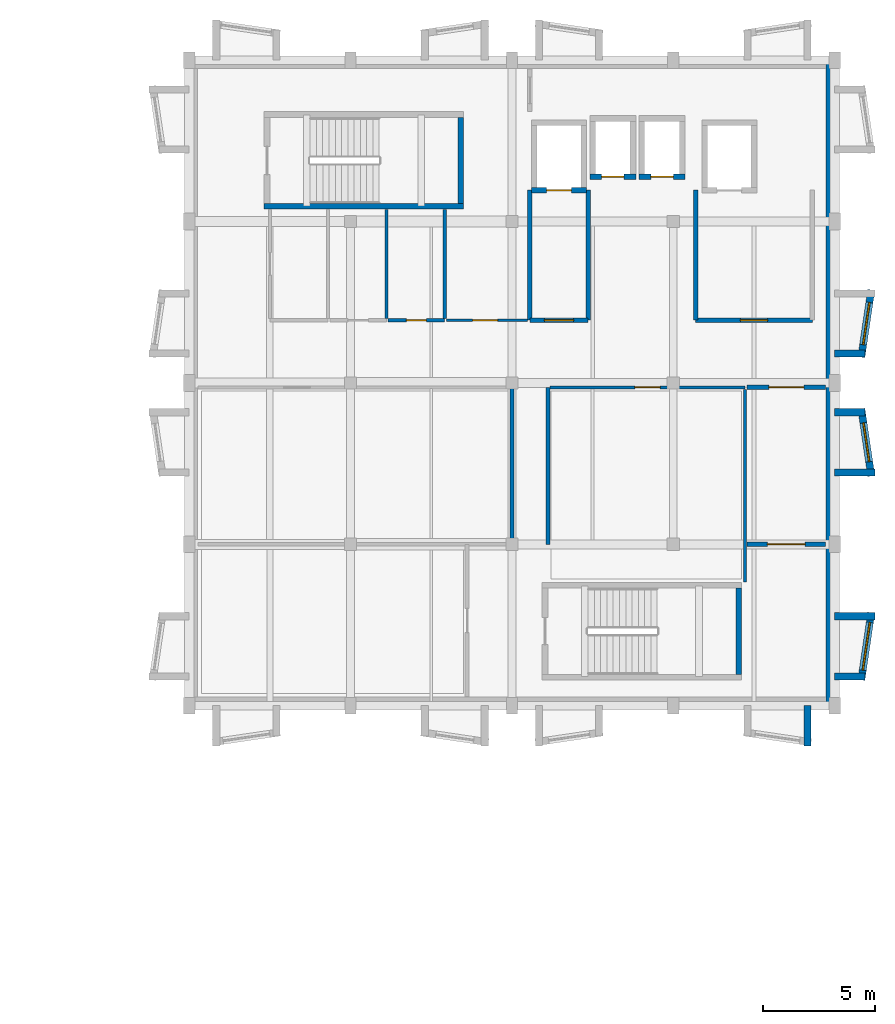
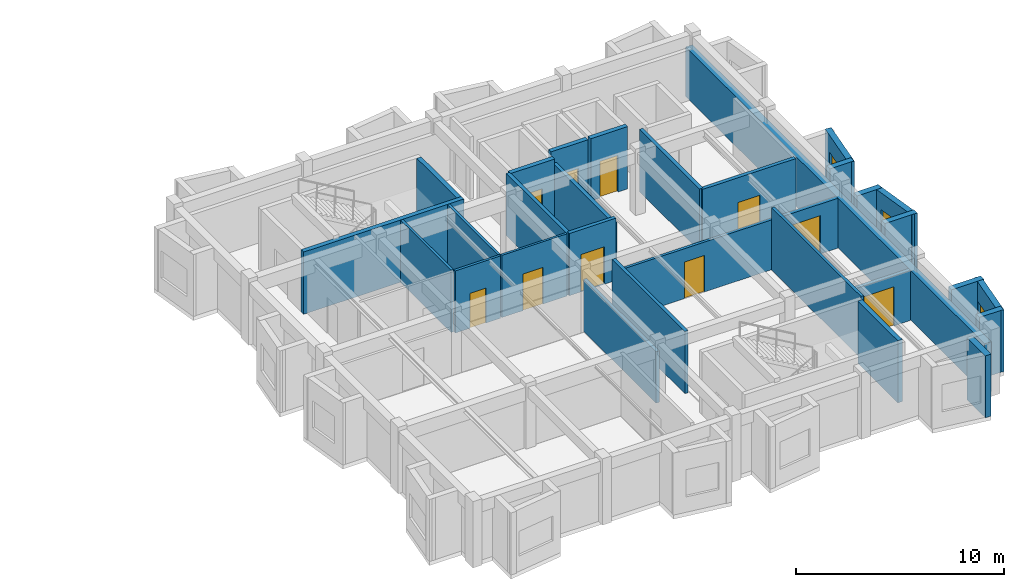
# One storey, part 7 of 12: 31 walls, 10 doors, 3 windows, 13 openings.
"""IFC4 building model written with IfcOpenShell, lengths in metres."""

from ifc_helpers import new_model, si_unit, direction, frame, frame_2d, origin, place, context, subcontext, project, spatial, rectangle, extrude, material, layer, layer_set, type_object, element, fill, save


model = new_model("IFC4")

# Units and contexts
model_context = context("Model", 3, precision=1e-05, world=origin(), true_north=direction((0.0, 1.0)))
body_context = subcontext(model_context, "Body", "Model", "MODEL_VIEW")
ifc_project = project(units=[si_unit("LENGTHUNIT", "METRE"), si_unit("AREAUNIT", "SQUARE_METRE"), si_unit("VOLUMEUNIT", "CUBIC_METRE"), si_unit("PLANEANGLEUNIT", "RADIAN"), si_unit("MASSUNIT", "GRAM", prefix="KILO")], contexts=[model_context])

# Site, building, storey
site_placement = place(None, origin())
site = spatial("IfcSite", under=ifc_project, at=site_placement, CompositionType="ELEMENT")
building_placement = place(site_placement, origin())
building = spatial("IfcBuilding", under=site, at=building_placement, Name="Bramveld Media Centre", CompositionType="ELEMENT")
storey_placement = place(building_placement, frame((0.0, 0.0, 21.89990234375)))
storey = spatial("IfcBuildingStorey", under=building, at=storey_placement, Name="L05", CompositionType="ELEMENT", Elevation=21.89990234375)

# Walls
ifc_material_1 = material(Name="Concrete C40/50 stair & lift core wall", Category="concrete")
ifc_layer_1 = layer(ifc_material_1, 0.25)
ifc_layer_set_1 = layer_set([ifc_layer_1], Name="Concrete C40/50 stair & lift core wall")
wall_type_1 = type_object("IfcWallType", Name="CWALL-SHEAR-250", PredefinedType="SHEAR", material=ifc_layer_set_1)
wall_1_placement = place(storey_placement, frame((134.550048828125, 105.47509765625, 0.0), z_axis=(0.0, 0.0, 1.0), x_axis=(1.0, 0.0, 0.0)))
element("IfcWall", 1, at=wall_1_placement, inside=storey, type_object=wall_type_1, Name="ST-01 L05 stair core shear wall S", PredefinedType="SHEAR", context=body_context, shape_type="SweptSolid", body=[
    extrude(rectangle(XDim=8.89990234375, YDim=0.25, at=frame_2d((4.449951171875, 0.0))), origin(), (0.0, 0.0, 1.0), 3.66015625),
])
for number, where, z_axis, x_axis, name in (
    (2, (143.324951171875, 105.60009765625, 0.0), (0.0, 0.0, 1.0), (0.0, 1.0, 0.0), "ST-01 L05 stair core shear wall E"),
    (3, (155.72509765625, 84.60009765625, 0.0), (0.0, 0.0, 1.0), (0.0, 1.0, 0.0), "ST-02 L05 stair core shear wall E"),
):
    element("IfcWall", number, at=place(storey_placement, frame(where, z_axis=z_axis, x_axis=x_axis)), inside=storey, type_object=wall_type_1, Name=name, PredefinedType="SHEAR", context=body_context, shape_type="SweptSolid", body=[
        extrude(rectangle(XDim=3.849853515625, YDim=0.25, at=frame_2d((1.9248046875, 0.0))), origin(), (0.0, 0.0, 1.0), 3.66015625),
    ])

# Wall, opening, door
wall_2_placement = place(storey_placement, frame((146.47509765625, 106.199951171875, 0.0), z_axis=(0.0, 0.0, 1.0), x_axis=(1.0, 0.0, 0.0)))
wall_2 = element("IfcWall", 4, at=wall_2_placement, inside=storey, type_object=wall_type_1, Name="FL-01 L05 lift shaft wall S", PredefinedType="SHEAR", context=body_context, shape_type="SweptSolid", body=[
    extrude(rectangle(XDim=2.449951171875, YDim=0.25, at=frame_2d((1.22509765625, 0.0))), origin(), (0.0, 0.0, 1.0), 3.66015625),
])
opening_1_placement = place(wall_2_placement, frame((0.675048828125, 0.0, 0.0)))
opening_1 = element("IfcOpeningElement", 5, at=opening_1_placement, cuts=wall_2, Name="Opening LD-01-01-L05", PredefinedType="OPENING", context=body_context, shape_type="SweptSolid", body=[
    extrude(rectangle(XDim=1.10009765625, YDim=2.14990234375, at=frame_2d((0.550048828125, 1.074951171875))), frame((0.0, 0.136962890625, 0.0), z_axis=(0.0, -1.0, 0.0), x_axis=(1.0, 0.0, 0.0)), (0.0, 0.0, 1.0), 0.27392578125),
])
ifc_material_2 = material(Name="Brushed stainless steel automatic fire-rated sliding lift landing door", Category="steel")
door_type_1 = type_object("IfcDoorType", Name="LD-TYPE-01", OperationType="SLIDING_TO_LEFT", PredefinedType="DOOR", material=ifc_material_2)
door_1_placement = place(opening_1_placement, origin())
door_1 = element("IfcDoor", 6, at=door_1_placement, inside=storey, type_object=door_type_1, Name="FL-01 L05 sliding lift landing door", OperationType="SLIDING_TO_LEFT", OverallHeight=2.14990234375, OverallWidth=1.10009765625, PredefinedType="DOOR", context=body_context, shape_type="SweptSolid", body=[
    extrude(rectangle(XDim=1.10009765625, YDim=2.14990234375, at=frame_2d((0.550048828125, 1.074951171875))), frame((0.0, 0.02490234375, 0.0), z_axis=(0.0, -1.0, 0.0), x_axis=(1.0, 0.0, 0.0)), (0.0, 0.0, 1.0), 0.050048828125),
])
fill(opening_1, door_1)

wall_3_placement = place(storey_placement, frame((149.074951171875, 106.800048828125, 0.0), z_axis=(0.0, 0.0, 1.0), x_axis=(1.0, 0.0, 0.0)))
wall_3 = element("IfcWall", 7, at=wall_3_placement, inside=storey, type_object=wall_type_1, Name="PL-01 L05 lift shaft wall S", PredefinedType="SHEAR", context=body_context, shape_type="SweptSolid", body=[
    extrude(rectangle(XDim=2.050048828125, YDim=0.25, at=frame_2d((1.02490234375, 0.0))), origin(), (0.0, 0.0, 1.0), 3.66015625),
])
opening_2_placement = place(wall_3_placement, frame((0.52490234375, 0.0, 0.0)))
opening_2 = element("IfcOpeningElement", 8, at=opening_2_placement, cuts=wall_3, Name="Opening LD-02-01-L05", PredefinedType="OPENING", context=body_context, shape_type="SweptSolid", body=[
    extrude(rectangle(XDim=1.0, YDim=2.14990234375, at=frame_2d((0.5, 1.074951171875))), frame((0.0, 0.136962890625, 0.0), z_axis=(0.0, -1.0, 0.0), x_axis=(1.0, 0.0, 0.0)), (0.0, 0.0, 1.0), 0.27392578125),
])
ifc_material_3 = material(Name="Brushed stainless steel automatic fire-rated sliding lift landing door", Category="steel")
door_type_2 = type_object("IfcDoorType", Name="LD-TYPE-02", OperationType="SLIDING_TO_LEFT", PredefinedType="DOOR", material=ifc_material_3)
door_2_placement = place(opening_2_placement, origin())
door_2 = element("IfcDoor", 9, at=door_2_placement, inside=storey, type_object=door_type_2, Name="PL-01 L05 sliding lift landing door", OperationType="SLIDING_TO_LEFT", OverallHeight=2.14990234375, OverallWidth=1.0, PredefinedType="DOOR", context=body_context, shape_type="SweptSolid", body=[
    extrude(rectangle(XDim=1.0, YDim=2.14990234375, at=frame_2d((0.5, 1.074951171875))), frame((0.0, 0.02490234375, 0.0), z_axis=(0.0, -1.0, 0.0), x_axis=(1.0, 0.0, 0.0)), (0.0, 0.0, 1.0), 0.050048828125),
])
fill(opening_2, door_2)

wall_4_placement = place(storey_placement, frame((151.27490234375, 106.800048828125, 0.0), z_axis=(0.0, 0.0, 1.0), x_axis=(1.0, 0.0, 0.0)))
wall_4 = element("IfcWall", 10, at=wall_4_placement, inside=storey, type_object=wall_type_1, Name="PL-02 L05 lift shaft wall S", PredefinedType="SHEAR", context=body_context, shape_type="SweptSolid", body=[
    extrude(rectangle(XDim=2.050048828125, YDim=0.25, at=frame_2d((1.02490234375, 0.0))), origin(), (0.0, 0.0, 1.0), 3.66015625),
])
opening_3_placement = place(wall_4_placement, frame((0.52490234375, 0.0, 0.0)))
opening_3 = element("IfcOpeningElement", 11, at=opening_3_placement, cuts=wall_4, Name="Opening LD-02-02-L05", PredefinedType="OPENING", context=body_context, shape_type="SweptSolid", body=[
    extrude(rectangle(XDim=1.0, YDim=2.14990234375, at=frame_2d((0.5, 1.074951171875))), frame((0.0, 0.136962890625, 0.0), z_axis=(0.0, -1.0, 0.0), x_axis=(1.0, 0.0, 0.0)), (0.0, 0.0, 1.0), 0.27392578125),
])
door_3_placement = place(opening_3_placement, origin())
door_3 = element("IfcDoor", 12, at=door_3_placement, inside=storey, type_object=door_type_2, Name="PL-02 L05 sliding lift landing door", OperationType="SLIDING_TO_LEFT", OverallHeight=2.14990234375, OverallWidth=1.0, PredefinedType="DOOR", context=body_context, shape_type="SweptSolid", body=[
    extrude(rectangle(XDim=1.0, YDim=2.14990234375, at=frame_2d((0.5, 1.074951171875))), frame((0.0, 0.02490234375, 0.0), z_axis=(0.0, -1.0, 0.0), x_axis=(1.0, 0.0, 0.0)), (0.0, 0.0, 1.0), 0.050048828125),
])
fill(opening_3, door_3)

# Walls
ifc_material_4 = material(Name="Flemish red-brown clay facing brick cavity wall with calcium-silicate backing", Category="masonry")
ifc_layer_2 = layer(ifc_material_4, 0.3798828125)
ifc_layer_set_2 = layer_set([ifc_layer_2], Name="Flemish red-brown clay facing brick cavity wall with calcium-silicate backing")
wall_type_2 = type_object("IfcWallType", Name="EW-BRK-380", PredefinedType="SOLIDWALL", material=ifc_layer_set_2)
wall_5_placement = place(storey_placement, frame((159.81005859375, 112.0, 0.0), z_axis=(0.0, 0.0, 1.0), x_axis=(0.0, -1.0, 0.0)))
element("IfcWall", 13, at=wall_5_placement, inside=storey, type_object=wall_type_2, Name="V7 L05 E facing brick exterior wall", PredefinedType="SOLIDWALL", context=body_context, shape_type="SweptSolid", body=[
    extrude(rectangle(XDim=28.800048828125, YDim=0.3798828125, at=frame_2d((14.39990234375, 0.0))), origin(), (0.0, 0.0, 1.0), 2.9150390625),
])
ifc_material_5 = material(Name="Precast concrete C40/50 & brick-slip faceted bay cheek wall", Category="masonry")
ifc_layer_3 = layer(ifc_material_5, 0.320068359375)
ifc_layer_set_3 = layer_set([ifc_layer_3], Name="Precast concrete C40/50 & brick-slip faceted bay cheek wall")
wall_type_3 = type_object("IfcWallType", Name="EW-FACET-320", PredefinedType="SOLIDWALL", material=ifc_layer_set_3)
wall_6_placement = place(storey_placement, frame((158.7900390625, 83.199951171875, 0.0), z_axis=(0.0, 0.0, 1.0), x_axis=(0.0, -1.0, 0.0)))
element("IfcWall", 14, at=wall_6_placement, inside=storey, type_object=wall_type_3, Name="V7 L05 S faceted bay cheek wall", PredefinedType="SOLIDWALL", context=body_context, shape_type="SweptSolid", body=[
    extrude(rectangle(XDim=1.79296875, YDim=0.320068359375, at=frame_2d((0.896484375, 0.0))), origin(), (0.0, 0.0, 1.0), 3.64013671875),
])

# Wall, opening, window
wall_7_placement = place(storey_placement, frame((161.18994140625, 84.35009765625, 0.0), z_axis=(0.0, 0.0, 1.0), x_axis=(0.146119746268, 0.989266910268, 0.0)))
wall_7 = element("IfcWall", 15, at=wall_7_placement, inside=storey, type_object=wall_type_3, Name="V7 L05 E angled faceted bay front wall 1", PredefinedType="SOLIDWALL", context=body_context, shape_type="SweptSolid", body=[
    extrude(rectangle(XDim=3.032470703125, YDim=0.320068359375, at=frame_2d((1.51611328125, 0.0))), origin(), (0.0, 0.0, 1.0), 3.64013671875),
])
opening_4_placement = place(wall_7_placement, frame((0.44140625, 0.0, 0.89990234375)))
opening_4 = element("IfcOpeningElement", 16, at=opening_4_placement, cuts=wall_7, Name="Opening W-32", PredefinedType="OPENING", context=body_context, shape_type="SweptSolid", body=[
    extrude(rectangle(XDim=2.14990234375, YDim=1.60009765625, at=frame_2d((1.074951171875, 0.800048828125))), frame((0.0, 0.171875, 0.0), z_axis=(0.0, -1.0, 0.0), x_axis=(1.0, 0.0, 0.0)), (0.0, 0.0, 1.0), 0.343994140625),
])
ifc_material_6 = material(Name="Thermally broken anodized bronze aluminium frame with triple acoustic glazing", Category="aluminium")
window_type_1 = type_object("IfcWindowType", Name="WIN-FAC-32", PartitioningType="SINGLE_PANEL", PredefinedType="WINDOW", material=ifc_material_6)
window_1_placement = place(opening_4_placement, origin())
window_1 = element("IfcWindow", 17, at=window_1_placement, inside=storey, type_object=window_type_1, Name="V7 L05 E faceted bay window 1", OverallHeight=1.60009765625, OverallWidth=2.14990234375, PartitioningType="SINGLE_PANEL", PredefinedType="WINDOW", context=body_context, shape_type="SweptSolid", body=[
    extrude(rectangle(XDim=2.14990234375, YDim=1.60009765625, at=frame_2d((1.074951171875, 0.800048828125))), frame((0.0, 0.030029296875, 0.0), z_axis=(0.0, -1.0, 0.0), x_axis=(1.0, 0.0, 0.0)), (0.0, 0.0, 1.0), 0.06005859375),
])
fill(opening_4, window_1)

# Walls
wall_8_placement = place(storey_placement, frame((160.0, 84.510009765625, 0.0), z_axis=(0.0, 0.0, 1.0), x_axis=(1.0, 0.0, 0.0)))
element("IfcWall", 18, at=wall_8_placement, inside=storey, type_object=wall_type_3, Name="V7 L05 E faceted bay cheek wall", PredefinedType="SOLIDWALL", context=body_context, shape_type="SweptSolid", body=[
    extrude(rectangle(XDim=1.35009765625, YDim=0.320068359375, at=frame_2d((0.675048828125, 0.0))), origin(), (0.0, 0.0, 1.0), 3.64013671875),
])
wall_9_placement = place(storey_placement, frame((160.0, 87.18994140625, 0.0), z_axis=(0.0, 0.0, 1.0), x_axis=(1.0, 0.0, 0.0)))
element("IfcWall", 19, at=wall_9_placement, inside=storey, type_object=wall_type_3, Name="V7 L05 E faceted bay cheek wall", PredefinedType="SOLIDWALL", context=body_context, shape_type="SweptSolid", body=[
    extrude(rectangle(XDim=1.79296875, YDim=0.320068359375, at=frame_2d((0.896484375, 0.0))), origin(), (0.0, 0.0, 1.0), 3.64013671875),
])

# Wall, opening, window
wall_10_placement = place(storey_placement, frame((161.633056640625, 93.449951171875, 0.0), z_axis=(0.0, 0.0, 1.0), x_axis=(-0.146119746268, 0.989266910268, 0.0)))
wall_10 = element("IfcWall", 20, at=wall_10_placement, inside=storey, type_object=wall_type_3, Name="V7 L05 E angled faceted bay front wall 2", PredefinedType="SOLIDWALL", context=body_context, shape_type="SweptSolid", body=[
    extrude(rectangle(XDim=3.032470703125, YDim=0.320068359375, at=frame_2d((1.51611328125, 0.0))), origin(), (0.0, 0.0, 1.0), 3.64013671875),
])
opening_5_placement = place(wall_10_placement, frame((0.641357421875, 0.0, 0.89990234375)))
opening_5 = element("IfcOpeningElement", 21, at=opening_5_placement, cuts=wall_10, Name="Opening W-33", PredefinedType="OPENING", context=body_context, shape_type="SweptSolid", body=[
    extrude(rectangle(XDim=1.75, YDim=1.75, at=frame_2d((0.875, 0.875))), frame((0.0, 0.171875, 0.0), z_axis=(0.0, -1.0, 0.0), x_axis=(1.0, 0.0, 0.0)), (0.0, 0.0, 1.0), 0.343994140625),
])
ifc_material_7 = material(Name="Thermally broken anodized bronze aluminium frame with triple acoustic glazing", Category="aluminium")
window_type_2 = type_object("IfcWindowType", Name="WIN-FAC-33", PartitioningType="SINGLE_PANEL", PredefinedType="WINDOW", material=ifc_material_7)
window_2_placement = place(opening_5_placement, origin())
window_2 = element("IfcWindow", 22, at=window_2_placement, inside=storey, type_object=window_type_2, Name="V7 L05 E faceted bay window 2", OverallHeight=1.75, OverallWidth=1.75, PartitioningType="SINGLE_PANEL", PredefinedType="WINDOW", context=body_context, shape_type="SweptSolid", body=[
    extrude(rectangle(XDim=1.75, YDim=1.75, at=frame_2d((0.875, 0.875))), frame((0.0, 0.030029296875, 0.0), z_axis=(0.0, -1.0, 0.0), x_axis=(1.0, 0.0, 0.0)), (0.0, 0.0, 1.0), 0.06005859375),
])
fill(opening_5, window_2)

# Walls
wall_11_placement = place(storey_placement, frame((160.0, 93.610107421875, 0.0), z_axis=(0.0, 0.0, 1.0), x_axis=(1.0, 0.0, 0.0)))
element("IfcWall", 23, at=wall_11_placement, inside=storey, type_object=wall_type_3, Name="V7 L05 E faceted bay cheek wall", PredefinedType="SOLIDWALL", context=body_context, shape_type="SweptSolid", body=[
    extrude(rectangle(XDim=1.79296875, YDim=0.320068359375, at=frame_2d((0.896484375, 0.0))), origin(), (0.0, 0.0, 1.0), 3.64013671875),
])
wall_12_placement = place(storey_placement, frame((160.0, 96.2900390625, 0.0), z_axis=(0.0, 0.0, 1.0), x_axis=(1.0, 0.0, 0.0)))
element("IfcWall", 24, at=wall_12_placement, inside=storey, type_object=wall_type_3, Name="V7 L05 E faceted bay cheek wall", PredefinedType="SOLIDWALL", context=body_context, shape_type="SweptSolid", body=[
    extrude(rectangle(XDim=1.35009765625, YDim=0.320068359375, at=frame_2d((0.675048828125, 0.0))), origin(), (0.0, 0.0, 1.0), 3.64013671875),
])

# Wall, opening, window
wall_13_placement = place(storey_placement, frame((161.18994140625, 98.75, 0.0), z_axis=(0.0, 0.0, 1.0), x_axis=(0.146119746268, 0.989266910268, 0.0)))
wall_13 = element("IfcWall", 25, at=wall_13_placement, inside=storey, type_object=wall_type_3, Name="V7 L05 E angled faceted bay front wall 3", PredefinedType="SOLIDWALL", context=body_context, shape_type="SweptSolid", body=[
    extrude(rectangle(XDim=3.032470703125, YDim=0.320068359375, at=frame_2d((1.51611328125, 0.0))), origin(), (0.0, 0.0, 1.0), 3.64013671875),
])
opening_6_placement = place(wall_13_placement, frame((0.56640625, 0.0, 0.89990234375)))
opening_6 = element("IfcOpeningElement", 26, at=opening_6_placement, cuts=wall_13, Name="Opening W-34", PredefinedType="OPENING", context=body_context, shape_type="SweptSolid", body=[
    extrude(rectangle(XDim=1.89990234375, YDim=1.75, at=frame_2d((0.949951171875, 0.875))), frame((0.0, 0.171875, 0.0), z_axis=(0.0, -1.0, 0.0), x_axis=(1.0, 0.0, 0.0)), (0.0, 0.0, 1.0), 0.343994140625),
])
ifc_material_8 = material(Name="Thermally broken anodized bronze aluminium frame with triple acoustic glazing", Category="aluminium")
window_type_3 = type_object("IfcWindowType", Name="WIN-FAC-34", PartitioningType="SINGLE_PANEL", PredefinedType="WINDOW", material=ifc_material_8)
window_3_placement = place(opening_6_placement, origin())
window_3 = element("IfcWindow", 27, at=window_3_placement, inside=storey, type_object=window_type_3, Name="V7 L05 E faceted bay window 3", OverallHeight=1.75, OverallWidth=1.89990234375, PartitioningType="SINGLE_PANEL", PredefinedType="WINDOW", context=body_context, shape_type="SweptSolid", body=[
    extrude(rectangle(XDim=1.89990234375, YDim=1.75, at=frame_2d((0.949951171875, 0.875))), frame((0.0, 0.030029296875, 0.0), z_axis=(0.0, -1.0, 0.0), x_axis=(1.0, 0.0, 0.0)), (0.0, 0.0, 1.0), 0.06005859375),
])
fill(opening_6, window_3)

# Wall
wall_14_placement = place(storey_placement, frame((160.0, 98.909912109375, 0.0), z_axis=(0.0, 0.0, 1.0), x_axis=(1.0, 0.0, 0.0)))
element("IfcWall", 28, at=wall_14_placement, inside=storey, type_object=wall_type_3, Name="V7 L05 E faceted bay cheek wall", PredefinedType="SOLIDWALL", context=body_context, shape_type="SweptSolid", body=[
    extrude(rectangle(XDim=1.35009765625, YDim=0.320068359375, at=frame_2d((0.675048828125, 0.0))), origin(), (0.0, 0.0, 1.0), 3.64013671875),
])

# Wall, opening, door
ifc_material_9 = material(Name="Acoustic calcium-silicate & mineral-wool compartment partition", Category="masonry")
ifc_layer_4 = layer(ifc_material_9, 0.199951171875)
ifc_layer_set_4 = layer_set([ifc_layer_4], Name="Acoustic calcium-silicate & mineral-wool compartment partition")
wall_type_4 = type_object("IfcWallType", Name="IW-ACOU-200", PredefinedType="PARTITIONING", material=ifc_layer_set_4)
wall_15_placement = place(storey_placement, frame((146.39990234375, 100.39990234375, 0.0), z_axis=(0.0, 0.0, 1.0), x_axis=(1.0, 0.0, 0.0)))
wall_15 = element("IfcWall", 29, at=wall_15_placement, inside=storey, type_object=wall_type_4, Name="FL-01 L05 EI 120 firefighting lift lobby wall S", PredefinedType="PARTITIONING", context=body_context, shape_type="SweptSolid", body=[
    extrude(rectangle(XDim=2.60009765625, YDim=0.199951171875, at=frame_2d((1.300048828125, 0.0))), origin(), (0.0, 0.0, 1.0), 3.66015625),
])
opening_7_placement = place(wall_15_placement, frame((0.64990234375, 0.0, 0.0)))
opening_7 = element("IfcOpeningElement", 30, at=opening_7_placement, cuts=wall_15, Name="Opening FD-01-L05", PredefinedType="OPENING", context=body_context, shape_type="SweptSolid", body=[
    extrude(rectangle(XDim=1.300048828125, YDim=2.199951171875, at=frame_2d((0.64990234375, 1.10009765625))), frame((0.0, 0.11181640625, 0.0), z_axis=(0.0, -1.0, 0.0), x_axis=(1.0, 0.0, 0.0)), (0.0, 0.0, 1.0), 0.223876953125),
])
ifc_material_10 = material(Name="Painted galvanized steel acoustic fire door with intumescent smoke seals", Category="steel")
door_type_3 = type_object("IfcDoorType", Name="DR-FFL-1300", OperationType="NOTDEFINED", PredefinedType="DOOR", material=ifc_material_10)
door_4_placement = place(opening_7_placement, origin())
door_4 = element("IfcDoor", 31, at=door_4_placement, inside=storey, type_object=door_type_3, Name="FL-01 L05 firefighting lobby smoke-control door", OperationType="SINGLE_SWING_RIGHT", OverallHeight=2.199951171875, OverallWidth=1.300048828125, PredefinedType="DOOR", context=body_context, shape_type="SweptSolid", body=[
    extrude(rectangle(XDim=1.300048828125, YDim=2.199951171875, at=frame_2d((0.64990234375, 1.10009765625))), frame((0.0, 0.02490234375, 0.0), z_axis=(0.0, -1.0, 0.0), x_axis=(1.0, 0.0, 0.0)), (0.0, 0.0, 1.0), 0.050048828125),
])
fill(opening_7, door_4)

# Walls
wall_16_placement = place(storey_placement, frame((146.39990234375, 106.199951171875, 0.0), z_axis=(0.0, 0.0, 1.0), x_axis=(0.0, -1.0, 0.0)))
element("IfcWall", 32, at=wall_16_placement, inside=storey, type_object=wall_type_4, Name="FL-01 L05 EI 120 firefighting lift lobby wall W", PredefinedType="PARTITIONING", context=body_context, shape_type="SweptSolid", body=[
    extrude(rectangle(XDim=5.800048828125, YDim=0.199951171875, at=frame_2d((2.89990234375, 0.0))), origin(), (0.0, 0.0, 1.0), 3.66015625),
])
wall_17_placement = place(storey_placement, frame((149.0, 100.39990234375, 0.0), z_axis=(0.0, 0.0, 1.0), x_axis=(0.0, 1.0, 0.0)))
element("IfcWall", 33, at=wall_17_placement, inside=storey, type_object=wall_type_4, Name="FL-01 L05 EI 120 firefighting lift lobby wall E", PredefinedType="PARTITIONING", context=body_context, shape_type="SweptSolid", body=[
    extrude(rectangle(XDim=5.800048828125, YDim=0.199951171875, at=frame_2d((2.89990234375, 0.0))), origin(), (0.0, 0.0, 1.0), 3.335205078125),
])

# Wall, opening, door
wall_18_placement = place(storey_placement, frame((153.800048828125, 100.39990234375, 0.0), z_axis=(0.0, 0.0, 1.0), x_axis=(1.0, 0.0, 0.0)))
wall_18 = element("IfcWall", 34, at=wall_18_placement, inside=storey, type_object=wall_type_4, Name="FL-02 L05 EI 120 firefighting lift lobby wall S", PredefinedType="PARTITIONING", context=body_context, shape_type="SweptSolid", body=[
    extrude(rectangle(XDim=5.199951171875, YDim=0.199951171875, at=frame_2d((2.60009765625, 0.0))), origin(), (0.0, 0.0, 1.0), 3.66015625),
])
opening_8_placement = place(wall_18_placement, frame((1.989990234375, 0.0, 0.0)))
opening_8 = element("IfcOpeningElement", 35, at=opening_8_placement, cuts=wall_18, Name="Opening FD-02-L05", PredefinedType="OPENING", context=body_context, shape_type="SweptSolid", body=[
    extrude(rectangle(XDim=1.219970703125, YDim=2.199951171875, at=frame_2d((0.60986328125, 1.10009765625))), frame((0.0, 0.11181640625, 0.0), z_axis=(0.0, -1.0, 0.0), x_axis=(1.0, 0.0, 0.0)), (0.0, 0.0, 1.0), 0.223876953125),
])
ifc_material_11 = material(Name="Painted galvanized steel acoustic fire door with intumescent smoke seals", Category="steel")
door_type_4 = type_object("IfcDoorType", Name="DR-FFL-1220", OperationType="NOTDEFINED", PredefinedType="DOOR", material=ifc_material_11)
door_5_placement = place(opening_8_placement, origin())
door_5 = element("IfcDoor", 36, at=door_5_placement, inside=storey, type_object=door_type_4, Name="FL-02 L05 firefighting lobby smoke-control door", OperationType="SINGLE_SWING_RIGHT", OverallHeight=2.199951171875, OverallWidth=1.219970703125, PredefinedType="DOOR", context=body_context, shape_type="SweptSolid", body=[
    extrude(rectangle(XDim=1.219970703125, YDim=2.199951171875, at=frame_2d((0.60986328125, 1.10009765625))), frame((0.0, 0.02490234375, 0.0), z_axis=(0.0, -1.0, 0.0), x_axis=(1.0, 0.0, 0.0)), (0.0, 0.0, 1.0), 0.050048828125),
])
fill(opening_8, door_5)

# Wall
wall_19_placement = place(storey_placement, frame((153.800048828125, 106.199951171875, 0.0), z_axis=(0.0, 0.0, 1.0), x_axis=(0.0, -1.0, 0.0)))
element("IfcWall", 37, at=wall_19_placement, inside=storey, type_object=wall_type_4, Name="FL-02 L05 EI 120 firefighting lift lobby wall W", PredefinedType="PARTITIONING", context=body_context, shape_type="SweptSolid", body=[
    extrude(rectangle(XDim=5.800048828125, YDim=0.199951171875, at=frame_2d((2.89990234375, 0.0))), origin(), (0.0, 0.0, 1.0), 3.66015625),
])

# Wall, opening, door
wall_20_placement = place(storey_placement, frame((156.0849609375, 90.39990234375, 0.0), z_axis=(0.0, 0.0, 1.0), x_axis=(1.0, 0.0, 0.0)))
wall_20 = element("IfcWall", 38, at=wall_20_placement, inside=storey, type_object=wall_type_4, Name="Broadcast Commentary Editing Suite partition wall", PredefinedType="PARTITIONING", context=body_context, shape_type="SweptSolid", body=[
    extrude(rectangle(XDim=3.51513671875, YDim=0.199951171875, at=frame_2d((1.757568359375, 0.0))), origin(), (0.0, 0.0, 1.0), 2.93505859375),
])
opening_9_placement = place(wall_20_placement, frame((0.91748046875, 0.0, 0.0)))
opening_9 = element("IfcOpeningElement", 39, at=opening_9_placement, cuts=wall_20, Name="Opening D-05-203", PredefinedType="OPENING", context=body_context, shape_type="SweptSolid", body=[
    extrude(rectangle(XDim=1.679931640625, YDim=2.300048828125, at=frame_2d((0.83984375, 1.14990234375))), frame((0.0, 0.11181640625, 0.0), z_axis=(0.0, -1.0, 0.0), x_axis=(1.0, 0.0, 0.0)), (0.0, 0.0, 1.0), 0.223876953125),
])
ifc_material_12 = material(Name="Fire-rated acoustic timber & steel composite door", Category="steel")
door_type_5 = type_object("IfcDoorType", Name="DR-HALL-1680", OperationType="NOTDEFINED", PredefinedType="DOOR", material=ifc_material_12)
door_6_placement = place(opening_9_placement, origin())
door_6 = element("IfcDoor", 40, at=door_6_placement, inside=storey, type_object=door_type_5, Name="Broadcast Commentary Editing Suite entrance door", OperationType="DOUBLE_DOOR_SINGLE_SWING", OverallHeight=2.300048828125, OverallWidth=1.679931640625, PredefinedType="DOOR", context=body_context, shape_type="SweptSolid", body=[
    extrude(rectangle(XDim=1.679931640625, YDim=2.300048828125, at=frame_2d((0.83984375, 1.14990234375))), frame((0.0, 0.02490234375, 0.0), z_axis=(0.0, -1.0, 0.0), x_axis=(1.0, 0.0, 0.0)), (0.0, 0.0, 1.0), 0.050048828125),
])
fill(opening_9, door_6)

wall_21_placement = place(storey_placement, frame((156.0849609375, 97.39990234375, 0.0), z_axis=(0.0, 0.0, 1.0), x_axis=(1.0, 0.0, 0.0)))
wall_21 = element("IfcWall", 41, at=wall_21_placement, inside=storey, type_object=wall_type_4, Name="Translation & Subtitling Suite partition wall", PredefinedType="PARTITIONING", context=body_context, shape_type="SweptSolid", body=[
    extrude(rectangle(XDim=3.51513671875, YDim=0.199951171875, at=frame_2d((1.757568359375, 0.0))), origin(), (0.0, 0.0, 1.0), 2.93505859375),
])
opening_10_placement = place(wall_21_placement, frame((0.9775390625, 0.0, 0.0)))
opening_10 = element("IfcOpeningElement", 42, at=opening_10_placement, cuts=wall_21, Name="Opening D-05-204", PredefinedType="OPENING", context=body_context, shape_type="SweptSolid", body=[
    extrude(rectangle(XDim=1.56005859375, YDim=2.25, at=frame_2d((0.780029296875, 1.125))), frame((0.0, 0.11181640625, 0.0), z_axis=(0.0, -1.0, 0.0), x_axis=(1.0, 0.0, 0.0)), (0.0, 0.0, 1.0), 0.223876953125),
])
ifc_material_13 = material(Name="Fire-rated acoustic timber & steel composite door", Category="steel")
door_type_6 = type_object("IfcDoorType", Name="DR-HALL-1560", OperationType="NOTDEFINED", PredefinedType="DOOR", material=ifc_material_13)
door_7_placement = place(opening_10_placement, origin())
door_7 = element("IfcDoor", 43, at=door_7_placement, inside=storey, type_object=door_type_6, Name="Translation & Subtitling Suite entrance door", OperationType="DOUBLE_DOOR_SINGLE_SWING", OverallHeight=2.25, OverallWidth=1.56005859375, PredefinedType="DOOR", context=body_context, shape_type="SweptSolid", body=[
    extrude(rectangle(XDim=1.56005859375, YDim=2.25, at=frame_2d((0.780029296875, 1.125))), frame((0.0, 0.02490234375, 0.0), z_axis=(0.0, -1.0, 0.0), x_axis=(1.0, 0.0, 0.0)), (0.0, 0.0, 1.0), 0.050048828125),
])
fill(opening_10, door_7)

# Walls
ifc_material_14 = material(Name="Fire-rated twin-frame gypsum corridor wall", Category="gypsum")
ifc_layer_5 = layer(ifc_material_14, 0.179931640625)
ifc_layer_set_5 = layer_set([ifc_layer_5], Name="Fire-rated twin-frame gypsum corridor wall")
wall_type_5 = type_object("IfcWallType", Name="IW-FIRE-180", PredefinedType="PARTITIONING", material=ifc_layer_set_5)
wall_22_placement = place(storey_placement, frame((145.60009765625, 90.39990234375, 0.0), z_axis=(0.0, 0.0, 1.0), x_axis=(0.0, 1.0, 0.0)))
element("IfcWall", 44, at=wall_22_placement, inside=storey, type_object=wall_type_5, Name="Stair ST-02 L05 Link Corridor partition wall", PredefinedType="PARTITIONING", context=body_context, shape_type="SweptSolid", body=[
    extrude(rectangle(XDim=7.0, YDim=0.179931640625, at=frame_2d((3.5, 0.0))), origin(), (0.0, 0.0, 1.0), 3.03515625),
])
wall_23_placement = place(storey_placement, frame((147.199951171875, 90.39990234375, 0.0), z_axis=(0.0, 0.0, 1.0), x_axis=(0.0, 1.0, 0.0)))
element("IfcWall", 45, at=wall_23_placement, inside=storey, type_object=wall_type_5, Name="Stair ST-02 L05 Link Corridor partition wall", PredefinedType="PARTITIONING", context=body_context, shape_type="SweptSolid", body=[
    extrude(rectangle(XDim=7.0, YDim=0.179931640625, at=frame_2d((3.5, 0.0))), origin(), (0.0, 0.0, 1.0), 3.66015625),
])

# Wall, opening, door
ifc_material_15 = material(Name="Lightweight acoustic stud partition", Category="gypsum")
ifc_layer_6 = layer(ifc_material_15, 0.125)
ifc_layer_set_6 = layer_set([ifc_layer_6], Name="Lightweight acoustic stud partition")
wall_type_6 = type_object("IfcWallType", Name="IW-PART-125", PredefinedType="PARTITIONING", material=ifc_layer_set_6)
wall_24_placement = place(storey_placement, frame((142.679931640625, 100.39990234375, 0.0), z_axis=(0.0, 0.0, 1.0), x_axis=(1.0, 0.0, 0.0)))
wall_24 = element("IfcWall", 46, at=wall_24_placement, inside=storey, type_object=wall_type_6, Name="Media Editing Booth L05 partition wall", PredefinedType="PARTITIONING", context=body_context, shape_type="SweptSolid", body=[
    extrude(rectangle(XDim=3.610107421875, YDim=0.125, at=frame_2d((1.80517578125, 0.0))), origin(), (0.0, 0.0, 1.0), 3.66015625),
])
opening_11_placement = place(wall_24_placement, frame((1.1650390625, 0.0, 0.0)))
opening_11 = element("IfcOpeningElement", 47, at=opening_11_placement, cuts=wall_24, Name="Opening D-05-199", PredefinedType="OPENING", context=body_context, shape_type="SweptSolid", body=[
    extrude(rectangle(XDim=1.1201171875, YDim=2.14990234375, at=frame_2d((0.56005859375, 1.074951171875))), frame((0.0, 0.074462890625, 0.0), z_axis=(0.0, -1.0, 0.0), x_axis=(1.0, 0.0, 0.0)), (0.0, 0.0, 1.0), 0.14892578125),
])
ifc_material_16 = material(Name="Solid-core European oak acoustic timber leaf in steel frame", Category="steel")
door_type_7 = type_object("IfcDoorType", Name="DR-RM-1120", OperationType="NOTDEFINED", PredefinedType="DOOR", material=ifc_material_16)
door_8_placement = place(opening_11_placement, origin())
door_8 = element("IfcDoor", 48, at=door_8_placement, inside=storey, type_object=door_type_7, Name="Media Editing Booth L05 entrance door", OperationType="SINGLE_SWING_LEFT", OverallHeight=2.14990234375, OverallWidth=1.1201171875, PredefinedType="DOOR", context=body_context, shape_type="SweptSolid", body=[
    extrude(rectangle(XDim=1.1201171875, YDim=2.14990234375, at=frame_2d((0.56005859375, 1.074951171875))), frame((0.0, 0.02490234375, 0.0), z_axis=(0.0, -1.0, 0.0), x_axis=(1.0, 0.0, 0.0)), (0.0, 0.0, 1.0), 0.050048828125),
])
fill(opening_11, door_8)

ifc_material_17 = material(Name="Insulated metal-stud gypsum room partition", Category="gypsum")
ifc_layer_7 = layer(ifc_material_17, 0.14990234375)
ifc_layer_set_7 = layer_set([ifc_layer_7], Name="Insulated metal-stud gypsum room partition")
wall_type_7 = type_object("IfcWallType", Name="IW-PART-150", PredefinedType="PARTITIONING", material=ifc_layer_set_7)
wall_25_placement = place(storey_placement, frame((147.300048828125, 97.39990234375, 0.0), z_axis=(0.0, 0.0, 1.0), x_axis=(1.0, 0.0, 0.0)))
wall_25 = element("IfcWall", 49, at=wall_25_placement, inside=storey, type_object=wall_type_7, Name="Jury Screening & Deliberation Studio partition wall", PredefinedType="PARTITIONING", context=body_context, shape_type="SweptSolid", body=[
    extrude(rectangle(XDim=8.699951171875, YDim=0.14990234375, at=frame_2d((4.35009765625, 0.0))), origin(), (0.0, 0.0, 1.0), 2.93505859375),
])
opening_12_placement = place(wall_25_placement, frame((3.7900390625, 0.0, 0.0)))
opening_12 = element("IfcOpeningElement", 50, at=opening_12_placement, cuts=wall_25, Name="Opening D-05-201", PredefinedType="OPENING", context=body_context, shape_type="SweptSolid", body=[
    extrude(rectangle(XDim=1.1201171875, YDim=2.14990234375, at=frame_2d((0.56005859375, 1.074951171875))), frame((0.0, 0.0869140625, 0.0), z_axis=(0.0, -1.0, 0.0), x_axis=(1.0, 0.0, 0.0)), (0.0, 0.0, 1.0), 0.173828125),
])
door_9_placement = place(opening_12_placement, origin())
door_9 = element("IfcDoor", 51, at=door_9_placement, inside=storey, type_object=door_type_7, Name="Jury Screening & Deliberation Studio entrance door", OperationType="SINGLE_SWING_LEFT", OverallHeight=2.14990234375, OverallWidth=1.1201171875, PredefinedType="DOOR", context=body_context, shape_type="SweptSolid", body=[
    extrude(rectangle(XDim=1.1201171875, YDim=2.14990234375, at=frame_2d((0.56005859375, 1.074951171875))), frame((0.0, 0.02490234375, 0.0), z_axis=(0.0, -1.0, 0.0), x_axis=(1.0, 0.0, 0.0)), (0.0, 0.0, 1.0), 0.050048828125),
])
fill(opening_12, door_9)

# Walls
wall_26_placement = place(storey_placement, frame((156.0, 88.7099609375, 0.0), z_axis=(0.0, 0.0, 1.0), x_axis=(0.0, 1.0, 0.0)))
element("IfcWall", 52, at=wall_26_placement, inside=storey, type_object=wall_type_7, Name="Jury Screening & Deliberation Studio partition wall", PredefinedType="PARTITIONING", context=body_context, shape_type="SweptSolid", body=[
    extrude(rectangle(XDim=8.60498046875, YDim=0.14990234375, at=frame_2d((4.302490234375, 0.0))), origin(), (0.0, 0.0, 1.0), 3.66015625),
])
ifc_material_18 = material(Name="Moisture-resistant cement-board sanitary partition", Category="gypsum")
ifc_layer_8 = layer(ifc_material_18, 0.139892578125)
ifc_layer_set_8 = layer_set([ifc_layer_8], Name="Moisture-resistant cement-board sanitary partition")
wall_type_8 = type_object("IfcWallType", Name="IW-WET-140", PredefinedType="PARTITIONING", material=ifc_layer_set_8)
wall_27_placement = place(storey_placement, frame((140.0, 100.47998046875, 0.0), z_axis=(0.0, 0.0, 1.0), x_axis=(0.0, 1.0, 0.0)))
element("IfcWall", 53, at=wall_27_placement, inside=storey, type_object=wall_type_8, Name="Male WC partition wall", PredefinedType="PARTITIONING", context=body_context, shape_type="SweptSolid", body=[
    extrude(rectangle(XDim=4.860107421875, YDim=0.139892578125, at=frame_2d((2.43017578125, 0.0))), origin(), (0.0, 0.0, 1.0), 3.66015625),
])

# Wall, opening, door
wall_28_placement = place(storey_placement, frame((140.080078125, 100.39990234375, 0.0), z_axis=(0.0, 0.0, 1.0), x_axis=(1.0, 0.0, 0.0)))
wall_28 = element("IfcWall", 54, at=wall_28_placement, inside=storey, type_object=wall_type_8, Name="Female WC partition wall", PredefinedType="PARTITIONING", context=body_context, shape_type="SweptSolid", body=[
    extrude(rectangle(XDim=2.52001953125, YDim=0.139892578125, at=frame_2d((1.260009765625, 0.0))), origin(), (0.0, 0.0, 1.0), 3.66015625),
])
opening_13_placement = place(wall_28_placement, frame((0.81494140625, 0.0, 0.0)))
opening_13 = element("IfcOpeningElement", 55, at=opening_13_placement, cuts=wall_28, Name="Opening D-05-198", PredefinedType="OPENING", context=body_context, shape_type="SweptSolid", body=[
    extrude(rectangle(XDim=0.889892578125, YDim=2.050048828125, at=frame_2d((0.44482421875, 1.02490234375))), frame((0.0, 0.08203125, 0.0), z_axis=(0.0, -1.0, 0.0), x_axis=(1.0, 0.0, 0.0)), (0.0, 0.0, 1.0), 0.163818359375),
])
ifc_material_19 = material(Name="Solid-core European oak acoustic timber leaf in steel frame", Category="steel")
door_type_8 = type_object("IfcDoorType", Name="DR-WC-0890", OperationType="NOTDEFINED", PredefinedType="DOOR", material=ifc_material_19)
door_10_placement = place(opening_13_placement, origin())
door_10 = element("IfcDoor", 56, at=door_10_placement, inside=storey, type_object=door_type_8, Name="Female WC entrance door", OperationType="SINGLE_SWING_RIGHT", OverallHeight=2.050048828125, OverallWidth=0.889892578125, PredefinedType="DOOR", context=body_context, shape_type="SweptSolid", body=[
    extrude(rectangle(XDim=0.889892578125, YDim=2.050048828125, at=frame_2d((0.44482421875, 1.02490234375))), frame((0.0, 0.02490234375, 0.0), z_axis=(0.0, -1.0, 0.0), x_axis=(1.0, 0.0, 0.0)), (0.0, 0.0, 1.0), 0.050048828125),
])
fill(opening_13, door_10)

# Wall
wall_29_placement = place(storey_placement, frame((142.60009765625, 100.47998046875, 0.0), z_axis=(0.0, 0.0, 1.0), x_axis=(0.0, 1.0, 0.0)))
element("IfcWall", 57, at=wall_29_placement, inside=storey, type_object=wall_type_8, Name="Female WC partition wall", PredefinedType="PARTITIONING", context=body_context, shape_type="SweptSolid", body=[
    extrude(rectangle(XDim=4.860107421875, YDim=0.139892578125, at=frame_2d((2.43017578125, 0.0))), origin(), (0.0, 0.0, 1.0), 3.66015625),
])

save(model, "model.ifc")
